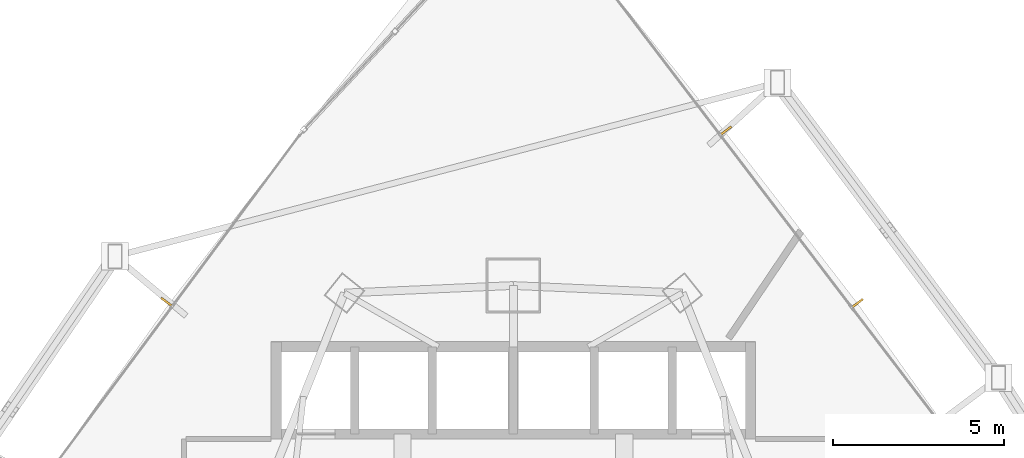
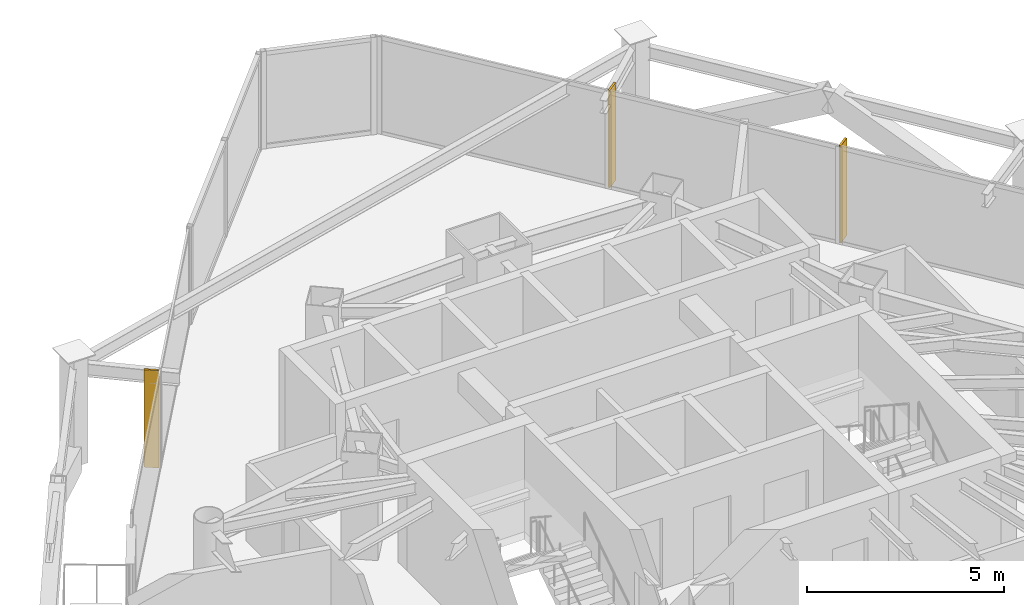
# One storey, part 38 of 38: 3 shading devices.
"""IFC4 building model written with IfcOpenShell, lengths in metres."""

from ifc_helpers import new_model, si_unit, direction, frame, origin, origin_2d, place, context, subcontext, project, spatial, rectangle, extrude, material, layer, layer_set, type_object, element, save


model = new_model("IFC4")

# Units and contexts
model_context = context("Model", 3, precision=1e-05, world=origin(), true_north=direction((0.0, 1.0)))
body_context = subcontext(model_context, "Body", "Model", "MODEL_VIEW")
ifc_project = project(units=[si_unit("LENGTHUNIT", "METRE"), si_unit("AREAUNIT", "SQUARE_METRE"), si_unit("VOLUMEUNIT", "CUBIC_METRE"), si_unit("PLANEANGLEUNIT", "RADIAN"), si_unit("MASSUNIT", "GRAM", prefix="KILO")], contexts=[model_context])

# Site, building, storey
site_placement = place(None, origin())
site = spatial("IfcSite", under=ifc_project, at=site_placement, CompositionType="ELEMENT")
building_placement = place(site_placement, origin())
building = spatial("IfcBuilding", under=site, at=building_placement, Name="Orvanel Arch Residences", CompositionType="ELEMENT")
storey_placement = place(building_placement, frame((0.0, 0.0, 56.60009765625)))
storey = spatial("IfcBuildingStorey", under=building, at=storey_placement, Name="L15", CompositionType="ELEMENT", Elevation=56.60009765625)

# Shading devices
ifc_material = material(Name="Bronze-anodised aluminium AA6063-T6", Category="aluminium")
ifc_layer = layer(ifc_material, 0.06005859375)
ifc_layer_set = layer_set([ifc_layer], Name="Bronze-anodised aluminium AA6063-T6")
shading_device_type = type_object("IfcShadingDeviceType", Name="FIN-BRZ-380", PredefinedType="USERDEFINED", material=ifc_layer_set)
for number, where, z_axis, x_axis, name in (
    (1, (22.8310546875, 40.9208984375, 0.0), (0.0, 0.0, 1.0), (-0.802817475191, 0.596224874966, 0.0), "L15 Anodised Bronze Mullion FIN 01"),
    (2, (43.090087890625, 40.884033203125, 0.0), (0.0, 0.0, 1.0), (0.795473480855, 0.605988400266, 0.0), "L15 Anodised Bronze Mullion FIN 01"),
    (3, (39.235107421875, 45.93994140625, 0.0), (0.0, 0.0, 1.0), (0.795473480855, 0.605988400266, 0.0), "L15 Anodised Bronze Mullion FIN 02"),
):
    element("IfcShadingDevice", number, at=place(storey_placement, frame(where, z_axis=z_axis, x_axis=x_axis)), inside=storey, type_object=shading_device_type, Name=name, ObjectType="FIN", PredefinedType="USERDEFINED", context=body_context, shape_type="SweptSolid", body=[
        extrude(rectangle(XDim=0.3798828125, YDim=0.06005859375, at=origin_2d()), origin(), (0.0, 0.0, 1.0), 3.02001953125),
    ])

save(model, "model.ifc")
